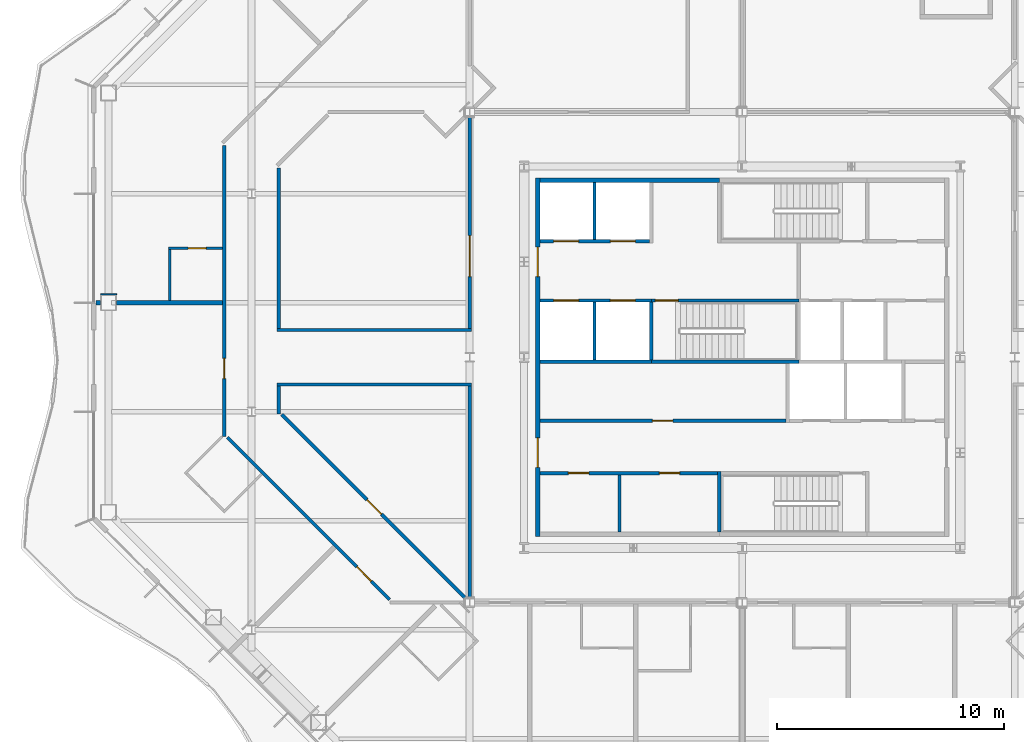
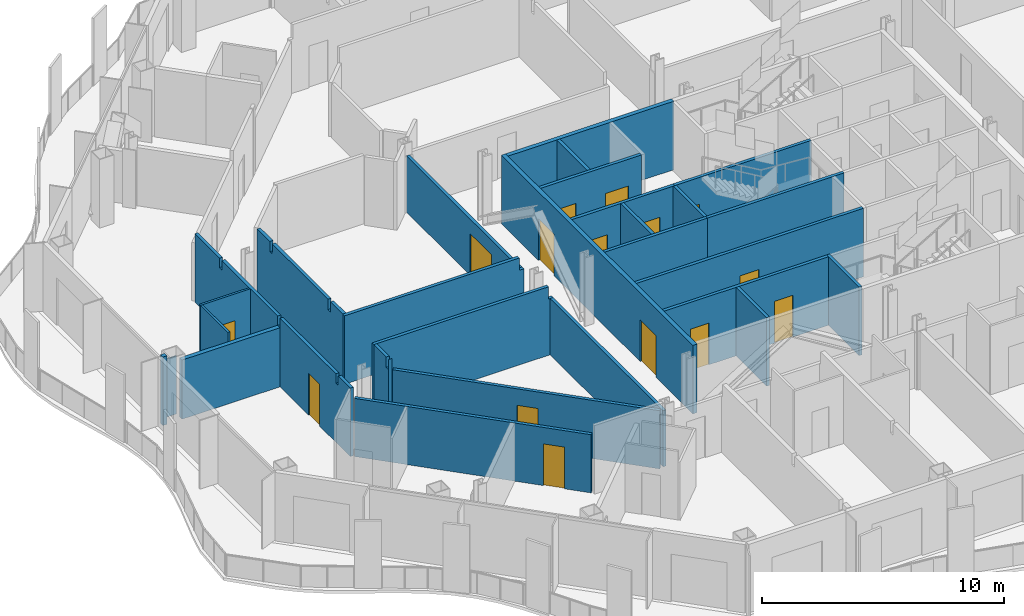
# One storey, part 8 of 21: 28 walls, 15 doors, 15 openings.
"""IFC4 building model written with IfcOpenShell, lengths in metres."""

from ifc_helpers import new_model, si_unit, direction, frame, frame_2d, origin, place, context, subcontext, project, spatial, polyline, rectangle, outline, extrude, material, layer, layer_set, type_object, element, fill, save


model = new_model("IFC4")

# Units and contexts
model_context = context("Model", 3, precision=1e-05, world=origin(), true_north=direction((0.0, 1.0)))
body_context = subcontext(model_context, "Body", "Model", "MODEL_VIEW")
ifc_project = project(units=[si_unit("LENGTHUNIT", "METRE"), si_unit("AREAUNIT", "SQUARE_METRE"), si_unit("VOLUMEUNIT", "CUBIC_METRE"), si_unit("PLANEANGLEUNIT", "RADIAN"), si_unit("MASSUNIT", "GRAM", prefix="KILO")], contexts=[model_context])

# Site, building, storey
site_placement = place(None, origin())
site = spatial("IfcSite", under=ifc_project, at=site_placement, CompositionType="ELEMENT")
building_placement = place(site_placement, origin())
building = spatial("IfcBuilding", under=site, at=building_placement, Name="Cairn Pilgrim Tower", CompositionType="ELEMENT")
storey_placement = place(building_placement, frame((0.0, 0.0, 143.39990234375)))
storey = spatial("IfcBuildingStorey", under=building, at=storey_placement, Name="L35", CompositionType="ELEMENT", Elevation=143.39990234375)

# Wall
ifc_material_1 = material(Name="Concrete C32/40", Category="concrete")
ifc_layer_1 = layer(ifc_material_1, 0.199951171875)
ifc_layer_set_1 = layer_set([ifc_layer_1], Name="CORE OUTER WALL 200 EI 120")
wall_type_1 = type_object("IfcWallType", Name="CORE OUTER WALL 200 EI 120", PredefinedType="SOLIDWALL", material=ifc_layer_set_1)
wall_1_placement = place(storey_placement, frame((-1.699951171875, 10.199951171875, 0.0), z_axis=(0.0, 0.0, 1.0), x_axis=(1.0, 0.0, 0.0)))
element("IfcWall", 1, at=wall_1_placement, inside=storey, type_object=wall_type_1, Name="CW:L35:H12-1", PredefinedType="SOLIDWALL", context=body_context, shape_type="SweptSolid", body=[
    extrude(rectangle(XDim=7.89990234375, YDim=0.199951171875, at=frame_2d((3.949951171875, 0.0))), origin(), (0.0, 0.0, 1.0), 3.4501953125),
])

# Wall, openings, doors
wall_2_placement = place(storey_placement, frame((-1.800048828125, -5.5, 0.0), z_axis=(0.0, 0.0, 1.0), x_axis=(0.0, 1.0, 0.0)))
wall_2 = element("IfcWall", 2, at=wall_2_placement, inside=storey, type_object=wall_type_1, Name="CW:L35:V13", PredefinedType="SOLIDWALL", context=body_context, shape_type="SweptSolid", body=[
    extrude(rectangle(XDim=15.800048828125, YDim=0.199951171875, at=frame_2d((7.89990234375, 0.0))), origin(), (0.0, 0.0, 1.0), 3.4501953125),
])
opening_1_placement = place(wall_2_placement, frame((3.050048828125, 0.0, 0.0)))
opening_1 = element("IfcOpeningElement", 3, at=opening_1_placement, cuts=wall_2, Name="Opening CD-W1", PredefinedType="OPENING", context=body_context, shape_type="SweptSolid", body=[
    extrude(rectangle(XDim=1.300048828125, YDim=2.10009765625, at=frame_2d((0.64990234375, 1.050048828125))), frame((0.0, 0.10986328125, 0.0), z_axis=(0.0, -1.0, 0.0), x_axis=(1.0, 0.0, 0.0)), (0.0, 0.0, 1.0), 0.219970703125),
])
opening_2_placement = place(wall_2_placement, frame((11.449951171875, 0.0, 0.0)))
opening_2 = element("IfcOpeningElement", 4, at=opening_2_placement, cuts=wall_2, Name="Opening CD-W2", PredefinedType="OPENING", context=body_context, shape_type="SweptSolid", body=[
    extrude(rectangle(XDim=1.300048828125, YDim=2.10009765625, at=frame_2d((0.64990234375, 1.050048828125))), frame((0.0, 0.10986328125, 0.0), z_axis=(0.0, -1.0, 0.0), x_axis=(1.0, 0.0, 0.0)), (0.0, 0.0, 1.0), 0.219970703125),
])
ifc_material_2 = material(Name="Painted steel", Category="steel")
door_type_1 = type_object("IfcDoorType", Name="CORE LOBBY DOOR 1300x2100", OperationType="DOUBLE_DOOR_SINGLE_SWING", PredefinedType="DOOR", material=ifc_material_2)
door_1_placement = place(opening_1_placement, origin())
door_1 = element("IfcDoor", 5, at=door_1_placement, inside=storey, type_object=door_type_1, Name="CD-W1", OperationType="DOUBLE_DOOR_SINGLE_SWING", OverallHeight=2.10009765625, OverallWidth=1.300048828125, PredefinedType="DOOR", context=body_context, shape_type="SweptSolid", body=[
    extrude(rectangle(XDim=1.300048828125, YDim=2.10009765625, at=frame_2d((0.64990234375, 1.050048828125))), frame((0.0, 0.02490234375, 0.0), z_axis=(0.0, -1.0, 0.0), x_axis=(1.0, 0.0, 0.0)), (0.0, 0.0, 1.0), 0.050048828125),
])
fill(opening_1, door_1)
door_2_placement = place(opening_2_placement, origin())
door_2 = element("IfcDoor", 6, at=door_2_placement, inside=storey, type_object=door_type_1, Name="CD-W2", OperationType="DOUBLE_DOOR_SINGLE_SWING", OverallHeight=2.10009765625, OverallWidth=1.300048828125, PredefinedType="DOOR", context=body_context, shape_type="SweptSolid", body=[
    extrude(rectangle(XDim=1.300048828125, YDim=2.10009765625, at=frame_2d((0.64990234375, 1.050048828125))), frame((0.0, 0.02490234375, 0.0), z_axis=(0.0, -1.0, 0.0), x_axis=(1.0, 0.0, 0.0)), (0.0, 0.0, 1.0), 0.050048828125),
])
fill(opening_2, door_2)

ifc_layer_2 = layer(ifc_material_1, 0.14990234375)
ifc_layer_set_2 = layer_set([ifc_layer_2], Name="CORE PARTITION 150 EI 60")
wall_type_2 = type_object("IfcWallType", Name="CORE PARTITION 150 EI 60", PredefinedType="PARTITIONING", material=ifc_layer_set_2)
wall_3_placement = place(storey_placement, frame((-1.699951171875, -2.699951171875, 0.0), z_axis=(0.0, 0.0, 1.0), x_axis=(1.0, 0.0, 0.0)))
wall_3 = element("IfcWall", 7, at=wall_3_placement, inside=storey, type_object=wall_type_2, Name="CW:L35:H02", PredefinedType="PARTITIONING", context=body_context, shape_type="SweptSolid", body=[
    extrude(rectangle(XDim=7.824951171875, YDim=0.14990234375, at=frame_2d((3.91259765625, 0.0))), origin(), (0.0, 0.0, 1.0), 3.4501953125),
])
opening_3_placement = place(wall_3_placement, frame((1.25, 0.0, 0.0)))
opening_3 = element("IfcOpeningElement", 8, at=opening_3_placement, cuts=wall_3, Name="Opening RD-R1W1", PredefinedType="OPENING", context=body_context, shape_type="SweptSolid", body=[
    extrude(rectangle(XDim=0.89990234375, YDim=2.10009765625, at=frame_2d((0.449951171875, 1.050048828125))), frame((0.0, 0.0849609375, 0.0), z_axis=(0.0, -1.0, 0.0), x_axis=(1.0, 0.0, 0.0)), (0.0, 0.0, 1.0), 0.169921875),
])
opening_4_placement = place(wall_3_placement, frame((5.25, 0.0, 0.0)))
opening_4 = element("IfcOpeningElement", 9, at=opening_4_placement, cuts=wall_3, Name="Opening RD-R1W2", PredefinedType="OPENING", context=body_context, shape_type="SweptSolid", body=[
    extrude(rectangle(XDim=0.89990234375, YDim=2.10009765625, at=frame_2d((0.449951171875, 1.050048828125))), frame((0.0, 0.0849609375, 0.0), z_axis=(0.0, -1.0, 0.0), x_axis=(1.0, 0.0, 0.0)), (0.0, 0.0, 1.0), 0.169921875),
])
door_type_2 = type_object("IfcDoorType", Name="SERVICE ROOM DOOR 900x2100", OperationType="SINGLE_SWING_LEFT", PredefinedType="DOOR", material=ifc_material_2)
door_3_placement = place(opening_3_placement, origin())
door_3 = element("IfcDoor", 10, at=door_3_placement, inside=storey, type_object=door_type_2, Name="RD-R1W1", OperationType="SINGLE_SWING_RIGHT", OverallHeight=2.10009765625, OverallWidth=0.89990234375, PredefinedType="DOOR", context=body_context, shape_type="SweptSolid", body=[
    extrude(rectangle(XDim=0.89990234375, YDim=2.10009765625, at=frame_2d((0.449951171875, 1.050048828125))), frame((0.0, 0.02490234375, 0.0), z_axis=(0.0, -1.0, 0.0), x_axis=(1.0, 0.0, 0.0)), (0.0, 0.0, 1.0), 0.050048828125),
])
fill(opening_3, door_3)
door_4_placement = place(opening_4_placement, origin())
door_4 = element("IfcDoor", 11, at=door_4_placement, inside=storey, type_object=door_type_2, Name="RD-R1W2", OperationType="SINGLE_SWING_LEFT", OverallHeight=2.10009765625, OverallWidth=0.89990234375, PredefinedType="DOOR", context=body_context, shape_type="SweptSolid", body=[
    extrude(rectangle(XDim=0.89990234375, YDim=2.10009765625, at=frame_2d((0.449951171875, 1.050048828125))), frame((0.0, 0.02490234375, 0.0), z_axis=(0.0, -1.0, 0.0), x_axis=(1.0, 0.0, 0.0)), (0.0, 0.0, 1.0), 0.050048828125),
])
fill(opening_4, door_4)

# Wall, opening, door
wall_4_placement = place(storey_placement, frame((-1.699951171875, -0.39990234375, 0.0), z_axis=(0.0, 0.0, 1.0), x_axis=(1.0, 0.0, 0.0)))
wall_4 = element("IfcWall", 12, at=wall_4_placement, inside=storey, type_object=wall_type_2, Name="CW:L35:H04", PredefinedType="PARTITIONING", context=body_context, shape_type="SweptSolid", body=[
    extrude(rectangle(XDim=10.824951171875, YDim=0.14990234375, at=frame_2d((5.41259765625, 0.0))), origin(), (0.0, 0.0, 1.0), 3.4501953125),
])
opening_5_placement = place(wall_4_placement, frame((4.949951171875, 0.0, 0.0)))
opening_5 = element("IfcOpeningElement", 13, at=opening_5_placement, cuts=wall_4, Name="Opening RD-R2W1", PredefinedType="OPENING", context=body_context, shape_type="SweptSolid", body=[
    extrude(rectangle(XDim=0.89990234375, YDim=2.10009765625, at=frame_2d((0.449951171875, 1.050048828125))), frame((0.0, 0.0849609375, 0.0), z_axis=(0.0, -1.0, 0.0), x_axis=(1.0, 0.0, 0.0)), (0.0, 0.0, 1.0), 0.169921875),
])
door_5_placement = place(opening_5_placement, origin())
door_5 = element("IfcDoor", 14, at=door_5_placement, inside=storey, type_object=door_type_2, Name="RD-R2W1", OperationType="SINGLE_SWING_RIGHT", OverallHeight=2.10009765625, OverallWidth=0.89990234375, PredefinedType="DOOR", context=body_context, shape_type="SweptSolid", body=[
    extrude(rectangle(XDim=0.89990234375, YDim=2.10009765625, at=frame_2d((0.449951171875, 1.050048828125))), frame((0.0, 0.02490234375, 0.0), z_axis=(0.0, -1.0, 0.0), x_axis=(1.0, 0.0, 0.0)), (0.0, 0.0, 1.0), 0.050048828125),
])
fill(opening_5, door_5)

# Walls
wall_5_placement = place(storey_placement, frame((1.800048828125, -5.300048828125, 0.0), z_axis=(0.0, 0.0, 1.0), x_axis=(0.0, 1.0, 0.0)))
element("IfcWall", 15, at=wall_5_placement, inside=storey, type_object=wall_type_2, Name="CW:L35:V16", PredefinedType="PARTITIONING", context=body_context, shape_type="SweptSolid", body=[
    extrude(rectangle(XDim=2.525146484375, YDim=0.14990234375, at=frame_2d((1.2626953125, 0.0))), origin(), (0.0, 0.0, 1.0), 3.4501953125),
])
ifc_layer_3 = layer(ifc_material_1, 0.14990234375)
ifc_layer_set_3 = layer_set([ifc_layer_3], Name="CORE SHAFT WALL 150 EI 120")
wall_type_3 = type_object("IfcWallType", Name="CORE SHAFT WALL 150 EI 120", PredefinedType="SOLIDWALL", material=ifc_layer_set_3)
wall_6_placement = place(storey_placement, frame((-1.699951171875, 2.199951171875, 0.0), z_axis=(0.0, 0.0, 1.0), x_axis=(1.0, 0.0, 0.0)))
element("IfcWall", 16, at=wall_6_placement, inside=storey, type_object=wall_type_3, Name="CW:L35:H07-1", PredefinedType="SOLIDWALL", context=body_context, shape_type="SweptSolid", body=[
    extrude(rectangle(XDim=4.89990234375, YDim=0.14990234375, at=frame_2d((2.449951171875, 0.0))), origin(), (0.0, 0.0, 1.0), 3.4501953125),
])

# Wall, openings, doors
wall_7_placement = place(storey_placement, frame((-1.699951171875, 4.89990234375, 0.0), z_axis=(0.0, 0.0, 1.0), x_axis=(1.0, 0.0, 0.0)))
wall_7 = element("IfcWall", 17, at=wall_7_placement, inside=storey, type_object=wall_type_3, Name="CW:L35:H09-1", PredefinedType="SOLIDWALL", context=body_context, shape_type="SweptSolid", body=[
    extrude(rectangle(XDim=4.89990234375, YDim=0.14990234375, at=frame_2d((2.449951171875, 0.0))), origin(), (0.0, 0.0, 1.0), 3.4501953125),
])
opening_6_placement = place(wall_7_placement, frame((0.60009765625, 0.0, 0.0)))
opening_6 = element("IfcOpeningElement", 18, at=opening_6_placement, cuts=wall_7, Name="Opening LD-HR1", PredefinedType="OPENING", context=body_context, shape_type="SweptSolid", body=[
    extrude(rectangle(XDim=1.10009765625, YDim=2.10009765625, at=frame_2d((0.550048828125, 1.050048828125))), frame((0.0, 0.0849609375, 0.0), z_axis=(0.0, -1.0, 0.0), x_axis=(1.0, 0.0, 0.0)), (0.0, 0.0, 1.0), 0.169921875),
])
opening_7_placement = place(wall_7_placement, frame((3.10009765625, 0.0, 0.0)))
opening_7 = element("IfcOpeningElement", 19, at=opening_7_placement, cuts=wall_7, Name="Opening LD-HR2", PredefinedType="OPENING", context=body_context, shape_type="SweptSolid", body=[
    extrude(rectangle(XDim=1.10009765625, YDim=2.10009765625, at=frame_2d((0.550048828125, 1.050048828125))), frame((0.0, 0.0849609375, 0.0), z_axis=(0.0, -1.0, 0.0), x_axis=(1.0, 0.0, 0.0)), (0.0, 0.0, 1.0), 0.169921875),
])
ifc_material_3 = material(Name="Stainless steel", Category="steel")
door_type_3 = type_object("IfcDoorType", Name="LIFT LANDING DOOR 1100x2100", OperationType="DOUBLE_DOOR_SLIDING", PredefinedType="DOOR", material=ifc_material_3)
door_6_placement = place(opening_6_placement, origin())
door_6 = element("IfcDoor", 20, at=door_6_placement, inside=storey, type_object=door_type_3, Name="LANDING DOOR HR1", OperationType="DOUBLE_DOOR_SLIDING", OverallHeight=2.10009765625, OverallWidth=1.10009765625, PredefinedType="DOOR", context=body_context, shape_type="SweptSolid", body=[
    extrude(rectangle(XDim=1.10009765625, YDim=2.10009765625, at=frame_2d((0.550048828125, 1.050048828125))), frame((0.0, 0.02490234375, 0.0), z_axis=(0.0, -1.0, 0.0), x_axis=(1.0, 0.0, 0.0)), (0.0, 0.0, 1.0), 0.050048828125),
])
fill(opening_6, door_6)
door_7_placement = place(opening_7_placement, origin())
door_7 = element("IfcDoor", 21, at=door_7_placement, inside=storey, type_object=door_type_3, Name="LANDING DOOR HR2", OperationType="DOUBLE_DOOR_SLIDING", OverallHeight=2.10009765625, OverallWidth=1.10009765625, PredefinedType="DOOR", context=body_context, shape_type="SweptSolid", body=[
    extrude(rectangle(XDim=1.10009765625, YDim=2.10009765625, at=frame_2d((0.550048828125, 1.050048828125))), frame((0.0, 0.02490234375, 0.0), z_axis=(0.0, -1.0, 0.0), x_axis=(1.0, 0.0, 0.0)), (0.0, 0.0, 1.0), 0.050048828125),
])
fill(opening_7, door_7)

wall_8_placement = place(storey_placement, frame((-1.699951171875, 7.5, 0.0), z_axis=(0.0, 0.0, 1.0), x_axis=(1.0, 0.0, 0.0)))
wall_8 = element("IfcWall", 22, at=wall_8_placement, inside=storey, type_object=wall_type_3, Name="CW:L35:H10", PredefinedType="SOLIDWALL", context=body_context, shape_type="SweptSolid", body=[
    extrude(rectangle(XDim=4.824951171875, YDim=0.14990234375, at=frame_2d((2.41259765625, 0.0))), origin(), (0.0, 0.0, 1.0), 3.4501953125),
])
opening_8_placement = place(wall_8_placement, frame((0.60009765625, 0.0, 0.0)))
opening_8 = element("IfcOpeningElement", 23, at=opening_8_placement, cuts=wall_8, Name="Opening LD-HR3", PredefinedType="OPENING", context=body_context, shape_type="SweptSolid", body=[
    extrude(rectangle(XDim=1.10009765625, YDim=2.10009765625, at=frame_2d((0.550048828125, 1.050048828125))), frame((0.0, 0.0849609375, 0.0), z_axis=(0.0, -1.0, 0.0), x_axis=(1.0, 0.0, 0.0)), (0.0, 0.0, 1.0), 0.169921875),
])
opening_9_placement = place(wall_8_placement, frame((3.10009765625, 0.0, 0.0)))
opening_9 = element("IfcOpeningElement", 24, at=opening_9_placement, cuts=wall_8, Name="Opening LD-HR4", PredefinedType="OPENING", context=body_context, shape_type="SweptSolid", body=[
    extrude(rectangle(XDim=1.10009765625, YDim=2.10009765625, at=frame_2d((0.550048828125, 1.050048828125))), frame((0.0, 0.0849609375, 0.0), z_axis=(0.0, -1.0, 0.0), x_axis=(1.0, 0.0, 0.0)), (0.0, 0.0, 1.0), 0.169921875),
])
door_8_placement = place(opening_8_placement, origin())
door_8 = element("IfcDoor", 25, at=door_8_placement, inside=storey, type_object=door_type_3, Name="LANDING DOOR HR3", OperationType="DOUBLE_DOOR_SLIDING", OverallHeight=2.10009765625, OverallWidth=1.10009765625, PredefinedType="DOOR", context=body_context, shape_type="SweptSolid", body=[
    extrude(rectangle(XDim=1.10009765625, YDim=2.10009765625, at=frame_2d((0.550048828125, 1.050048828125))), frame((0.0, 0.02490234375, 0.0), z_axis=(0.0, -1.0, 0.0), x_axis=(1.0, 0.0, 0.0)), (0.0, 0.0, 1.0), 0.050048828125),
])
fill(opening_8, door_8)
door_9_placement = place(opening_9_placement, origin())
door_9 = element("IfcDoor", 26, at=door_9_placement, inside=storey, type_object=door_type_3, Name="LANDING DOOR HR4", OperationType="DOUBLE_DOOR_SLIDING", OverallHeight=2.10009765625, OverallWidth=1.10009765625, PredefinedType="DOOR", context=body_context, shape_type="SweptSolid", body=[
    extrude(rectangle(XDim=1.10009765625, YDim=2.10009765625, at=frame_2d((0.550048828125, 1.050048828125))), frame((0.0, 0.02490234375, 0.0), z_axis=(0.0, -1.0, 0.0), x_axis=(1.0, 0.0, 0.0)), (0.0, 0.0, 1.0), 0.050048828125),
])
fill(opening_9, door_9)

# Walls
wall_9_placement = place(storey_placement, frame((0.699951171875, 2.27490234375, 0.0), z_axis=(0.0, 0.0, 1.0), x_axis=(0.0, 1.0, 0.0)))
element("IfcWall", 27, at=wall_9_placement, inside=storey, type_object=wall_type_3, Name="CW:L35:V14", PredefinedType="SOLIDWALL", context=body_context, shape_type="SweptSolid", body=[
    extrude(rectangle(XDim=2.550048828125, YDim=0.14990234375, at=frame_2d((1.27490234375, 0.0))), origin(), (0.0, 0.0, 1.0), 3.4501953125),
])
wall_10_placement = place(storey_placement, frame((0.699951171875, 7.574951171875, 0.0), z_axis=(0.0, 0.0, 1.0), x_axis=(0.0, 1.0, 0.0)))
element("IfcWall", 28, at=wall_10_placement, inside=storey, type_object=wall_type_3, Name="CW:L35:V15", PredefinedType="SOLIDWALL", context=body_context, shape_type="SweptSolid", body=[
    extrude(rectangle(XDim=2.525146484375, YDim=0.14990234375, at=frame_2d((1.2626953125, 0.0))), origin(), (0.0, 0.0, 1.0), 3.4501953125),
])
ifc_material_4 = material(Name="Gypsum partition")
ifc_layer_4 = layer(ifc_material_4, 0.10009765625)
ifc_layer_set_4 = layer_set([ifc_layer_4], Name="PARTITION 100 DRYWALL")
wall_type_4 = type_object("IfcWallType", Name="PARTITION 100 DRYWALL", PredefinedType="PARTITIONING", material=ifc_layer_set_4)
wall_11_placement = place(storey_placement, frame((-18.0, 4.89990234375, 0.0), z_axis=(0.0, 0.0, 1.0), x_axis=(0.0, 1.0, 0.0)))
element("IfcWall", 29, at=wall_11_placement, inside=storey, type_object=wall_type_4, Name="PARTITION W062", PredefinedType="PARTITIONING", context=body_context, shape_type="SweptSolid", body=[
    extrude(rectangle(XDim=2.25, YDim=0.10009765625, at=frame_2d((1.125, 0.0))), origin(), (0.0, 0.0, 1.0), 3.4501953125),
])

# Wall, opening, door
wall_12_placement = place(storey_placement, frame((-18.050048828125, 7.199951171875, 0.0), z_axis=(0.0, 0.0, 1.0), x_axis=(1.0, 0.0, 0.0)))
wall_12 = element("IfcWall", 30, at=wall_12_placement, inside=storey, type_object=wall_type_4, Name="PARTITION W065", PredefinedType="PARTITIONING", context=body_context, shape_type="SweptSolid", body=[
    extrude(rectangle(XDim=2.375, YDim=0.10009765625, at=frame_2d((1.1875, 0.0))), origin(), (0.0, 0.0, 1.0), 3.4501953125),
])
opening_10_placement = place(wall_12_placement, frame((0.85009765625, 0.0, 0.0)))
opening_10 = element("IfcOpeningElement", 31, at=opening_10_placement, cuts=wall_12, Name="Opening 3517A", PredefinedType="OPENING", context=body_context, shape_type="SweptSolid", body=[
    extrude(rectangle(XDim=0.800048828125, YDim=2.10009765625, at=frame_2d((0.39990234375, 1.050048828125))), frame((0.0, 0.06005859375, 0.0), z_axis=(0.0, -1.0, 0.0), x_axis=(1.0, 0.0, 0.0)), (0.0, 0.0, 1.0), 0.1201171875),
])
ifc_material_5 = material(Name="Timber door leaf", Category="wood")
door_type_4 = type_object("IfcDoorType", Name="WC DOOR 800x2100", OperationType="NOTDEFINED", PredefinedType="DOOR", material=ifc_material_5)
door_10_placement = place(opening_10_placement, origin())
door_10 = element("IfcDoor", 32, at=door_10_placement, inside=storey, type_object=door_type_4, Name="DOOR 3517A", OperationType="SINGLE_SWING_RIGHT", OverallHeight=2.10009765625, OverallWidth=0.800048828125, PredefinedType="DOOR", context=body_context, shape_type="SweptSolid", body=[
    extrude(rectangle(XDim=0.800048828125, YDim=2.10009765625, at=frame_2d((0.39990234375, 1.050048828125))), frame((0.0, 0.02490234375, 0.0), z_axis=(0.0, -1.0, 0.0), x_axis=(1.0, 0.0, 0.0)), (0.0, 0.0, 1.0), 0.050048828125),
])
fill(opening_10, door_10)

ifc_layer_5 = layer(ifc_material_4, 0.14990234375)
ifc_layer_set_5 = layer_set([ifc_layer_5], Name="PARTITION 150 DRYWALL EI 60")
wall_type_5 = type_object("IfcWallType", Name="PARTITION 150 DRYWALL EI 60", PredefinedType="PARTITIONING", material=ifc_layer_set_5)
wall_13_placement = place(storey_placement, frame((-8.322021484375, -8.27197265625, 0.0), z_axis=(0.0, 0.0, 1.0), x_axis=(-0.707106781187, 0.707106781187, 0.0)))
wall_13 = element("IfcWall", 33, at=wall_13_placement, inside=storey, type_object=wall_type_5, Name="PARTITION W029", PredefinedType="PARTITIONING", context=body_context, shape_type="SweptSolid", body=[
    extrude(rectangle(XDim=10.111572265625, YDim=0.14990234375, at=frame_2d((5.0556640625, 0.0))), origin(), (0.0, 0.0, 1.0), 2.93017578125),
])
opening_11_placement = place(wall_13_placement, frame((1.138916015625, 0.0, 0.0)))
opening_11 = element("IfcOpeningElement", 34, at=opening_11_placement, cuts=wall_13, Name="Opening 3519", PredefinedType="OPENING", context=body_context, shape_type="SweptSolid", body=[
    extrude(rectangle(XDim=0.89990234375, YDim=2.10009765625, at=frame_2d((0.449951171875, 1.050048828125))), frame((0.0, 0.0849609375, 0.0), z_axis=(0.0, -1.0, 0.0), x_axis=(1.0, 0.0, 0.0)), (0.0, 0.0, 1.0), 0.169921875),
])
door_type_5 = type_object("IfcDoorType", Name="SERVICE DOOR 900x2100 FD30S", OperationType="NOTDEFINED", PredefinedType="DOOR", material=ifc_material_5)
door_11_placement = place(opening_11_placement, origin())
door_11 = element("IfcDoor", 35, at=door_11_placement, inside=storey, type_object=door_type_5, Name="DOOR 3519", OperationType="SINGLE_SWING_RIGHT", OverallHeight=2.10009765625, OverallWidth=0.89990234375, PredefinedType="DOOR", context=body_context, shape_type="SweptSolid", body=[
    extrude(rectangle(XDim=0.89990234375, YDim=2.10009765625, at=frame_2d((0.449951171875, 1.050048828125))), frame((0.0, 0.02490234375, 0.0), z_axis=(0.0, -1.0, 0.0), x_axis=(1.0, 0.0, 0.0)), (0.0, 0.0, 1.0), 0.050048828125),
])
fill(opening_11, door_11)

wall_14_placement = place(storey_placement, frame((-5.008544921875, -8.19140625, 0.0), z_axis=(0.0, 0.0, 1.0), x_axis=(-0.707106781187, 0.707106781187, 0.0)))
wall_14 = element("IfcWall", 36, at=wall_14_placement, inside=storey, type_object=wall_type_5, Name="PARTITION W031", PredefinedType="PARTITIONING", context=body_context, shape_type="SweptSolid", body=[
    extrude(rectangle(XDim=11.403564453125, YDim=0.14990234375, at=frame_2d((5.70166015625, 0.0))), origin(), (0.0, 0.0, 1.0), 2.93017578125),
])
opening_12_placement = place(wall_14_placement, frame((5.194580078125, 0.0, 0.0)))
opening_12 = element("IfcOpeningElement", 37, at=opening_12_placement, cuts=wall_14, Name="Opening 3530", PredefinedType="OPENING", context=body_context, shape_type="SweptSolid", body=[
    extrude(rectangle(XDim=0.89990234375, YDim=2.10009765625, at=frame_2d((0.449951171875, 1.050048828125))), frame((0.0, 0.0849609375, 0.0), z_axis=(0.0, -1.0, 0.0), x_axis=(1.0, 0.0, 0.0)), (0.0, 0.0, 1.0), 0.169921875),
])
door_12_placement = place(opening_12_placement, frame((0.89990234375, 0.0, 0.0), z_axis=(0.0, 0.0, 1.0), x_axis=(-1.0, 0.0, 0.0)))
door_12 = element("IfcDoor", 38, at=door_12_placement, inside=storey, type_object=door_type_5, Name="DOOR 3530", OperationType="SINGLE_SWING_RIGHT", OverallHeight=2.10009765625, OverallWidth=0.89990234375, PredefinedType="DOOR", context=body_context, shape_type="SweptSolid", body=[
    extrude(rectangle(XDim=0.89990234375, YDim=2.10009765625, at=frame_2d((0.449951171875, 1.050048828125))), frame((0.0, 0.02490234375, 0.0), z_axis=(0.0, -1.0, 0.0), x_axis=(1.0, 0.0, 0.0)), (0.0, 0.0, 1.0), 0.050048828125),
])
fill(opening_12, door_12)

# Wall
wall_15_placement = place(storey_placement, frame((-4.800048828125, -8.1875, 0.0), z_axis=(0.0, 0.0, 1.0), x_axis=(0.0, 1.0, 0.0)))
element("IfcWall", 39, at=wall_15_placement, inside=storey, type_object=wall_type_5, Name="PARTITION W032", PredefinedType="PARTITIONING", context=body_context, shape_type="SweptSolid", body=[
    extrude(rectangle(XDim=9.3125, YDim=0.14990234375, at=frame_2d((4.65625, 0.0))), origin(), (0.0, 0.0, 1.0), 2.830078125),
])

# Wall, opening, door
wall_16_placement = place(storey_placement, frame((-15.60009765625, -1.10009765625, 0.0), z_axis=(0.0, 0.0, 1.0), x_axis=(0.0, 1.0, 0.0)))
wall_16 = element("IfcWall", 40, at=wall_16_placement, inside=storey, type_object=wall_type_5, Name="PARTITION W041", PredefinedType="PARTITIONING", context=body_context, shape_type="SweptSolid", body=[
    extrude(outline(polyline([(0.0, 0.0), (12.833984375, 0.0), (12.833984375, 3.4501953125), (10.795166015625, 3.4501953125), (10.793212890625, 2.97998046875), (10.60498046875, 2.97998046875), (10.60302734375, 3.4501953125), (5.9951171875, 3.4501953125), (5.9931640625, 2.97998046875), (5.80517578125, 2.97998046875), (5.802978515625, 3.4501953125), (1.195068359375, 3.4501953125), (1.193115234375, 2.97998046875), (1.005126953125, 2.97998046875), (1.003173828125, 3.4501953125), (0.0, 3.4501953125), (0.0, 0.0)])), frame((0.0, 0.074951171875, 0.0), z_axis=(0.0, -1.0, 0.0), x_axis=(1.0, 0.0, 0.0)), (0.0, 0.0, 1.0), 0.14990234375),
])
opening_13_placement = place(wall_16_placement, frame((2.552978515625, 0.0, 0.0)))
opening_13 = element("IfcOpeningElement", 41, at=opening_13_placement, cuts=wall_16, Name="Opening 3518", PredefinedType="OPENING", context=body_context, shape_type="SweptSolid", body=[
    extrude(rectangle(XDim=0.89990234375, YDim=2.10009765625, at=frame_2d((0.449951171875, 1.050048828125))), frame((0.0, 0.0849609375, 0.0), z_axis=(0.0, -1.0, 0.0), x_axis=(1.0, 0.0, 0.0)), (0.0, 0.0, 1.0), 0.169921875),
])
door_type_6 = type_object("IfcDoorType", Name="ROOM DOOR 900x2100 FD30S", OperationType="NOTDEFINED", PredefinedType="DOOR", material=ifc_material_5)
door_13_placement = place(opening_13_placement, origin())
door_13 = element("IfcDoor", 42, at=door_13_placement, inside=storey, type_object=door_type_6, Name="DOOR 3518", OperationType="SINGLE_SWING_RIGHT", OverallHeight=2.10009765625, OverallWidth=0.89990234375, PredefinedType="DOOR", context=body_context, shape_type="SweptSolid", body=[
    extrude(rectangle(XDim=0.89990234375, YDim=2.10009765625, at=frame_2d((0.449951171875, 1.050048828125))), frame((0.0, 0.02490234375, 0.0), z_axis=(0.0, -1.0, 0.0), x_axis=(1.0, 0.0, 0.0)), (0.0, 0.0, 1.0), 0.050048828125),
])
fill(opening_13, door_13)

# Walls
wall_17_placement = place(storey_placement, frame((-13.199951171875, -0.106201171875, 0.0), z_axis=(0.0, 0.0, 1.0), x_axis=(0.0, 1.0, 0.0)))
element("IfcWall", 43, at=wall_17_placement, inside=storey, type_object=wall_type_5, Name="PARTITION W043", PredefinedType="PARTITIONING", context=body_context, shape_type="SweptSolid", body=[
    extrude(outline(polyline([(0.0, 0.0), (1.231201171875, 0.0), (1.231201171875, 3.4501953125), (0.2060546875, 3.4501953125), (0.2041015625, 2.93017578125), (0.006103515625, 2.93017578125), (0.004150390625, 3.4501953125), (0.0, 3.4501953125), (0.0, 0.0)])), frame((0.0, 0.074951171875, 0.0), z_axis=(0.0, -1.0, 0.0), x_axis=(1.0, 0.0, 0.0)), (0.0, 0.0, 1.0), 0.14990234375),
])
for number, where, z_axis, x_axis, name in (
    (44, (-13.27490234375, 1.199951171875, 0.0), (0.0, 0.0, 1.0), (1.0, 0.0, 0.0), "PARTITION W047"),
    (45, (-13.27490234375, 3.60009765625, 0.0), (0.0, 0.0, 1.0), (1.0, 0.0, 0.0), "PARTITION W051"),
):
    element("IfcWall", number, at=place(storey_placement, frame(where, z_axis=z_axis, x_axis=x_axis)), inside=storey, type_object=wall_type_5, Name=name, PredefinedType="PARTITIONING", context=body_context, shape_type="SweptSolid", body=[
        extrude(outline(polyline([(0.0, 0.0), (8.5498046875, 0.0), (8.550048828125, 2.830078125), (8.324951171875, 2.830078125), (8.322998046875, 3.4501953125), (0.0, 3.4501953125), (0.0, 0.0)])), frame((0.0, 0.074951171875, 0.0), z_axis=(0.0, -1.0, 0.0), x_axis=(1.0, 0.0, 0.0)), (0.0, 0.0, 1.0), 0.14990234375),
    ])
wall_18_placement = place(storey_placement, frame((-13.199951171875, 3.675048828125, 0.0), z_axis=(0.0, 0.0, 1.0), x_axis=(0.0, 1.0, 0.0)))
element("IfcWall", 46, at=wall_18_placement, inside=storey, type_object=wall_type_5, Name="PARTITION W053", PredefinedType="PARTITIONING", context=body_context, shape_type="SweptSolid", body=[
    extrude(outline(polyline([(0.0, 0.0), (7.06494140625, 0.0), (7.06494140625, 3.4501953125), (6.02490234375, 3.4501953125), (6.02294921875, 2.93017578125), (5.824951171875, 2.93017578125), (5.822998046875, 3.4501953125), (1.22509765625, 3.4501953125), (1.222900390625, 2.93017578125), (1.02490234375, 2.93017578125), (1.02294921875, 3.4501953125), (0.0, 3.4501953125), (0.0, 0.0)])), frame((0.0, 0.074951171875, 0.0), z_axis=(0.0, -1.0, 0.0), x_axis=(1.0, 0.0, 0.0)), (0.0, 0.0, 1.0), 0.14990234375),
])

# Wall, opening, door
wall_19_placement = place(storey_placement, frame((-4.800048828125, 3.675048828125, 0.0), z_axis=(0.0, 0.0, 1.0), x_axis=(0.0, 1.0, 0.0)))
wall_19 = element("IfcWall", 47, at=wall_19_placement, inside=storey, type_object=wall_type_5, Name="PARTITION W054", PredefinedType="PARTITIONING", context=body_context, shape_type="SweptSolid", body=[
    extrude(rectangle(XDim=9.3125, YDim=0.14990234375, at=frame_2d((4.65625, 0.0))), origin(), (0.0, 0.0, 1.0), 2.830078125),
])
opening_14_placement = place(wall_19_placement, frame((2.27490234375, 0.0, 0.0)))
opening_14 = element("IfcOpeningElement", 48, at=opening_14_placement, cuts=wall_19, Name="Opening 3529", PredefinedType="OPENING", context=body_context, shape_type="SweptSolid", body=[
    extrude(rectangle(XDim=1.800048828125, YDim=2.10009765625, at=frame_2d((0.89990234375, 1.050048828125))), frame((0.0, 0.0849609375, 0.0), z_axis=(0.0, -1.0, 0.0), x_axis=(1.0, 0.0, 0.0)), (0.0, 0.0, 1.0), 0.169921875),
])
door_type_7 = type_object("IfcDoorType", Name="DOOR PAIR 1800x2100 FD60S", OperationType="NOTDEFINED", PredefinedType="DOOR", material=ifc_material_5)
door_14_placement = place(opening_14_placement, origin())
door_14 = element("IfcDoor", 49, at=door_14_placement, inside=storey, type_object=door_type_7, Name="DOOR 3529", OperationType="DOUBLE_DOOR_SINGLE_SWING", OverallHeight=2.10009765625, OverallWidth=1.800048828125, PredefinedType="DOOR", context=body_context, shape_type="SweptSolid", body=[
    extrude(rectangle(XDim=1.800048828125, YDim=2.10009765625, at=frame_2d((0.89990234375, 1.050048828125))), frame((0.0, 0.02490234375, 0.0), z_axis=(0.0, -1.0, 0.0), x_axis=(1.0, 0.0, 0.0)), (0.0, 0.0, 1.0), 0.050048828125),
])
fill(opening_14, door_14)

# Walls
ifc_layer_6 = layer(ifc_material_4, 0.050048828125)
ifc_layer_set_6 = layer_set([ifc_layer_6], Name="PARTITION 50 DRYWALL EI 60")
wall_type_6 = type_object("IfcWallType", Name="PARTITION 50 DRYWALL EI 60", PredefinedType="PARTITIONING", material=ifc_layer_set_6)
wall_20_placement = place(storey_placement, frame((-21.050048828125, 5.175048828125, 0.0), z_axis=(0.0, 0.0, 1.0), x_axis=(1.0, 0.0, 0.0)))
element("IfcWall", 50, at=wall_20_placement, inside=storey, type_object=wall_type_6, Name="COLUMN CASING WC21", PredefinedType="PARTITIONING", context=body_context, shape_type="SweptSolid", body=[
    extrude(rectangle(XDim=0.699951171875, YDim=0.050048828125, at=frame_2d((0.35009765625, 0.0))), origin(), (0.0, 0.0, 1.0), 2.93017578125),
])
ifc_layer_7 = layer(ifc_material_4, 0.199951171875)
ifc_layer_set_7 = layer_set([ifc_layer_7], Name="SHAFT WALL 200 GYPSUM EI 60")
wall_type_7 = type_object("IfcWallType", Name="SHAFT WALL 200 GYPSUM EI 60", PredefinedType="PARTITIONING", material=ifc_layer_set_7)
wall_21_placement = place(storey_placement, frame((-21.25, 4.800048828125, 0.0), z_axis=(0.0, 0.0, 1.0), x_axis=(1.0, 0.0, 0.0)))
element("IfcWall", 51, at=wall_21_placement, inside=storey, type_object=wall_type_7, Name="PARTITION W058", PredefinedType="PARTITIONING", context=body_context, shape_type="SweptSolid", body=[
    extrude(rectangle(XDim=0.199951171875, YDim=0.199951171875, at=frame_2d((0.10009765625, 0.0))), origin(), (0.0, 0.0, 1.0), 3.4501953125),
])
wall_22_placement = place(storey_placement, frame((-20.35009765625, 4.800048828125, 0.0), z_axis=(0.0, 0.0, 1.0), x_axis=(1.0, 0.0, 0.0)))
element("IfcWall", 52, at=wall_22_placement, inside=storey, type_object=wall_type_7, Name="PARTITION W059", PredefinedType="PARTITIONING", context=body_context, shape_type="SweptSolid", body=[
    extrude(rectangle(XDim=4.675048828125, YDim=0.199951171875, at=frame_2d((2.33740234375, 0.0))), origin(), (0.0, 0.0, 1.0), 2.97998046875),
])
ifc_material_6 = material(Name="Concrete C35/45", Category="concrete")
ifc_layer_8 = layer(ifc_material_6, 0.14990234375)
ifc_layer_set_8 = layer_set([ifc_layer_8], Name="STAIR SHAFT WALL 150 EI 120")
wall_type_8 = type_object("IfcWallType", Name="STAIR SHAFT WALL 150 EI 120", PredefinedType="SOLIDWALL", material=ifc_layer_set_8)
wall_23_placement = place(storey_placement, frame((3.199951171875, 2.199951171875, 0.0), z_axis=(0.0, 0.0, 1.0), x_axis=(1.0, 0.0, 0.0)))
element("IfcWall", 53, at=wall_23_placement, inside=storey, type_object=wall_type_8, Name="CW:L35:H07-2", PredefinedType="SOLIDWALL", context=body_context, shape_type="SweptSolid", body=[
    extrude(rectangle(XDim=6.5, YDim=0.14990234375, at=frame_2d((3.25, 0.0))), origin(), (0.0, 0.0, 1.0), 3.4501953125),
])

# Wall, opening, door
wall_24_placement = place(storey_placement, frame((3.199951171875, 4.89990234375, 0.0), z_axis=(0.0, 0.0, 1.0), x_axis=(1.0, 0.0, 0.0)))
wall_24 = element("IfcWall", 54, at=wall_24_placement, inside=storey, type_object=wall_type_8, Name="CW:L35:H09-2", PredefinedType="SOLIDWALL", context=body_context, shape_type="SweptSolid", body=[
    extrude(rectangle(XDim=6.5, YDim=0.14990234375, at=frame_2d((3.25, 0.0))), origin(), (0.0, 0.0, 1.0), 3.4501953125),
])
opening_15_placement = place(wall_24_placement, frame((0.175048828125, 0.0, 0.0)))
opening_15 = element("IfcOpeningElement", 55, at=opening_15_placement, cuts=wall_24, Name="Opening SD-B", PredefinedType="OPENING", context=body_context, shape_type="SweptSolid", body=[
    extrude(rectangle(XDim=1.0, YDim=2.10009765625, at=frame_2d((0.5, 1.050048828125))), frame((0.0, 0.0849609375, 0.0), z_axis=(0.0, -1.0, 0.0), x_axis=(1.0, 0.0, 0.0)), (0.0, 0.0, 1.0), 0.169921875),
])
door_type_8 = type_object("IfcDoorType", Name="STAIR DOOR FD60S 1000x2100", OperationType="SINGLE_SWING_LEFT", PredefinedType="DOOR", material=ifc_material_2)
door_15_placement = place(opening_15_placement, origin())
door_15 = element("IfcDoor", 56, at=door_15_placement, inside=storey, type_object=door_type_8, Name="SD-B", OperationType="SINGLE_SWING_LEFT", OverallHeight=2.10009765625, OverallWidth=1.0, PredefinedType="DOOR", context=body_context, shape_type="SweptSolid", body=[
    extrude(rectangle(XDim=1.0, YDim=2.10009765625, at=frame_2d((0.5, 1.050048828125))), frame((0.0, 0.02490234375, 0.0), z_axis=(0.0, -1.0, 0.0), x_axis=(1.0, 0.0, 0.0)), (0.0, 0.0, 1.0), 0.050048828125),
])
fill(opening_15, door_15)

# Walls
wall_25_placement = place(storey_placement, frame((3.199951171875, 2.27490234375, 0.0), z_axis=(0.0, 0.0, 1.0), x_axis=(0.0, 1.0, 0.0)))
element("IfcWall", 57, at=wall_25_placement, inside=storey, type_object=wall_type_8, Name="CW:L35:V17", PredefinedType="SOLIDWALL", context=body_context, shape_type="SweptSolid", body=[
    extrude(rectangle(XDim=2.550048828125, YDim=0.14990234375, at=frame_2d((1.27490234375, 0.0))), origin(), (0.0, 0.0, 1.0), 3.4501953125),
])
wall_26_placement = place(storey_placement, frame((6.199951171875, -5.300048828125, 0.0), z_axis=(0.0, 0.0, 1.0), x_axis=(0.0, 1.0, 0.0)))
element("IfcWall", 58, at=wall_26_placement, inside=storey, type_object=wall_type_8, Name="CW:L35:V19", PredefinedType="SOLIDWALL", context=body_context, shape_type="SweptSolid", body=[
    extrude(rectangle(XDim=2.675048828125, YDim=0.14990234375, at=frame_2d((1.33740234375, 0.0))), origin(), (0.0, 0.0, 1.0), 3.4501953125),
])

save(model, "model.ifc")
